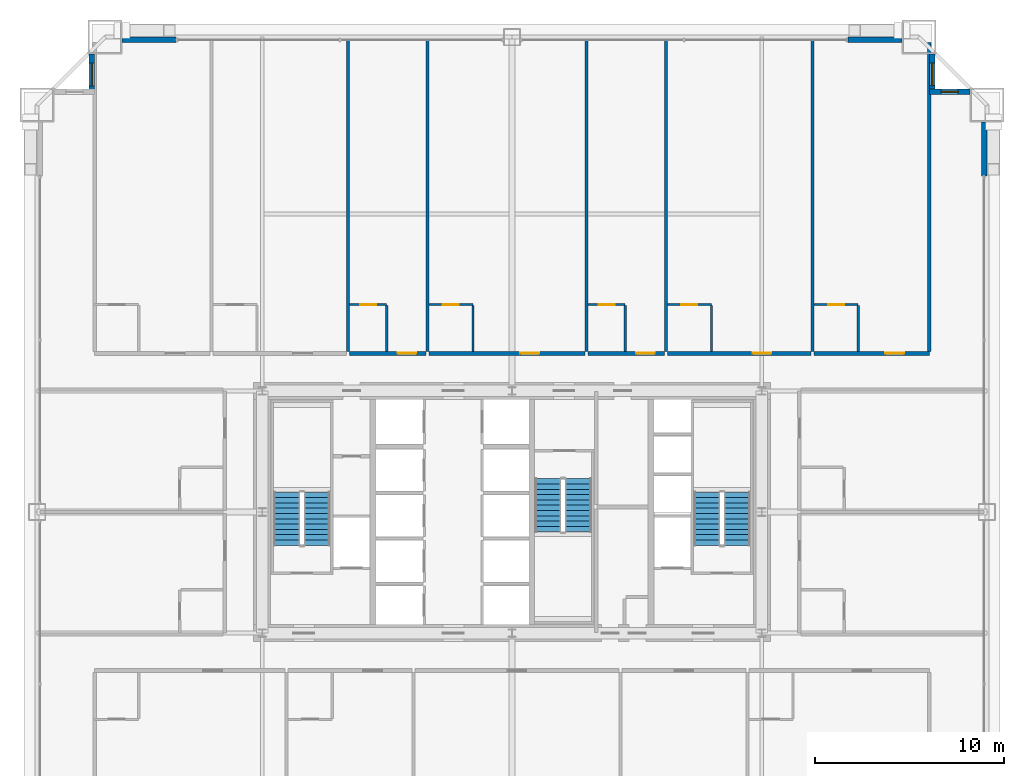
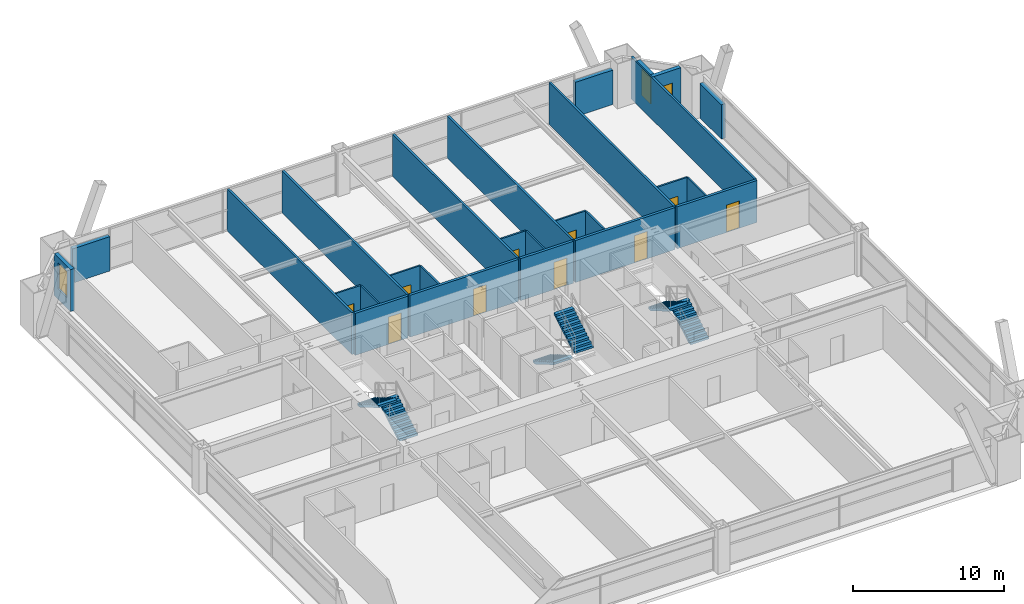
# One storey, part 42 of 43: 27 walls, 10 doors, 6 stair flights, 3 windows, 13 openings, 3 elements without a shape of their own.
"""IFC4 building model written with IfcOpenShell, lengths in metres."""

from ifc_helpers import new_model, si_unit, direction, frame, frame_2d, origin, place, context, subcontext, project, spatial, polyline, rectangle, outline, extrude, source, transform, mapped, material, layer, layer_set, type_object, element, fill, aggregate, save


model = new_model("IFC4")

# Units and contexts
model_context = context("Model", 3, precision=1e-05, world=origin(), true_north=direction((0.0, 1.0)))
body_context = subcontext(model_context, "Body", "Model", "MODEL_VIEW")
ifc_project = project(units=[si_unit("LENGTHUNIT", "METRE"), si_unit("AREAUNIT", "SQUARE_METRE"), si_unit("VOLUMEUNIT", "CUBIC_METRE"), si_unit("PLANEANGLEUNIT", "RADIAN"), si_unit("MASSUNIT", "GRAM", prefix="KILO"), si_unit("THERMODYNAMICTEMPERATUREUNIT", "KELVIN"), si_unit("POWERUNIT", "WATT")], contexts=[model_context])

# Site, building, storey
site_placement = place(None, origin())
site = spatial("IfcSite", under=ifc_project, at=site_placement, CompositionType="ELEMENT")
building_placement = place(site_placement, origin())
building = spatial("IfcBuilding", under=site, at=building_placement, Name="Yuzanri Waterfront Tower", CompositionType="ELEMENT")
storey_placement = place(building_placement, frame((0.0, 0.0, 46.0)))
storey = spatial("IfcBuildingStorey", under=building, at=storey_placement, Name="L11", CompositionType="ELEMENT", Elevation=46.0)

# Wall, opening, door
ifc_material_1 = material(Name="Moisture-Resistant Gypsum Stud Wall", Category="gypsum")
ifc_layer_1 = layer(ifc_material_1, 0.1201171875)
ifc_layer_set_1 = layer_set([ifc_layer_1], Name="Moisture-Resistant Gypsum Stud Wall")
wall_type_1 = type_object("IfcWallType", Name="Bathroom and Kitchen Wet Partition 120", PredefinedType="PARTITIONING", material=ifc_layer_set_1)
wall_1_placement = place(storey_placement, frame((28.419921875, 36.760009765625, 0.0), z_axis=(0.0, 0.0, 1.0), x_axis=(1.0, 0.0, 0.0)))
wall_1 = element("IfcWall", 1, at=wall_1_placement, inside=storey, type_object=wall_type_1, Name="L11 Partition UW-L11-N3-BN", PredefinedType="PARTITIONING", context=body_context, shape_type="SweptSolid", body=[
    extrude(rectangle(XDim=1.955078125, YDim=0.1201171875, at=frame_2d((0.9775390625, 0.0))), origin(), (0.0, 0.0, 1.0), 3.3798828125),
])
opening_1_placement = place(wall_1_placement, frame((0.552490234375, 0.0, 0.0)))
opening_1 = element("IfcOpeningElement", 2, at=opening_1_placement, cuts=wall_1, Name="Opening ID-0850", PredefinedType="OPENING", context=body_context, shape_type="SweptSolid", body=[
    extrude(rectangle(XDim=0.85009765625, YDim=2.10009765625, at=frame_2d((0.425048828125, 1.050048828125))), frame((0.0, 0.074951171875, 0.0), z_axis=(0.0, -1.0, 0.0), x_axis=(1.0, 0.0, 0.0)), (0.0, 0.0, 1.0), 0.14990234375),
])
ifc_material_2 = material(Name="Moisture-Resistant Lacquered Timber", Category="wood")
door_type_1 = type_object("IfcDoorType", Name="En-Suite Bathroom and Kitchen Swing Door 850x2100", OperationType="NOTDEFINED", PredefinedType="DOOR", material=ifc_material_2)
shared_shape_1 = source(origin(), body_context, "Body", "SweptSolid", [
    extrude(rectangle(XDim=0.85009765625, YDim=2.10009765625, at=frame_2d((0.425048828125, 1.050048828125))), frame((0.0, 0.02490234375, 0.0), z_axis=(0.0, -1.0, 0.0), x_axis=(1.0, 0.0, 0.0)), (0.0, 0.0, 1.0), 0.050048828125),
])
door_1_placement = place(opening_1_placement, origin())
door_1 = element("IfcDoor", 3, at=door_1_placement, inside=storey, type_object=door_type_1, Name="L11 Guest En-Suite Door", OperationType="SINGLE_SWING_LEFT", OverallHeight=2.10009765625, OverallWidth=0.85009765625, PredefinedType="DOOR", context=body_context, shape_type="MappedRepresentation", body=[
    mapped(shared_shape_1, transform((0.0, 0.0, 0.0), scale=1.0)),
])
fill(opening_1, door_1)

wall_2_placement = place(storey_placement, frame((32.60498046875, 36.760009765625, 0.0), z_axis=(0.0, 0.0, 1.0), x_axis=(1.0, 0.0, 0.0)))
wall_2 = element("IfcWall", 4, at=wall_2_placement, inside=storey, type_object=wall_type_1, Name="L11 Partition UW-L11-N4-BN", PredefinedType="PARTITIONING", context=body_context, shape_type="SweptSolid", body=[
    extrude(rectangle(XDim=2.330078125, YDim=0.1201171875, at=frame_2d((1.1650390625, 0.0))), origin(), (0.0, 0.0, 1.0), 3.3798828125),
])
opening_2_placement = place(wall_2_placement, frame((0.739990234375, 0.0, 0.0)))
opening_2 = element("IfcOpeningElement", 5, at=opening_2_placement, cuts=wall_2, Name="Opening ID-0850", PredefinedType="OPENING", context=body_context, shape_type="SweptSolid", body=[
    extrude(rectangle(XDim=0.85009765625, YDim=2.10009765625, at=frame_2d((0.425048828125, 1.050048828125))), frame((0.0, 0.074951171875, 0.0), z_axis=(0.0, -1.0, 0.0), x_axis=(1.0, 0.0, 0.0)), (0.0, 0.0, 1.0), 0.14990234375),
])
door_2_placement = place(opening_2_placement, origin())
door_2 = element("IfcDoor", 6, at=door_2_placement, inside=storey, type_object=door_type_1, Name="L11 Guest En-Suite Door", OperationType="SINGLE_SWING_LEFT", OverallHeight=2.10009765625, OverallWidth=0.85009765625, PredefinedType="DOOR", context=body_context, shape_type="MappedRepresentation", body=[
    mapped(shared_shape_1, transform((0.0, 0.0, 0.0), scale=1.0)),
])
fill(opening_2, door_2)

wall_3_placement = place(storey_placement, frame((41.02587890625, 36.760009765625, 0.0), z_axis=(0.0, 0.0, 1.0), x_axis=(1.0, 0.0, 0.0)))
wall_3 = element("IfcWall", 7, at=wall_3_placement, inside=storey, type_object=wall_type_1, Name="L11 Partition UW-L11-N5-BN", PredefinedType="PARTITIONING", context=body_context, shape_type="SweptSolid", body=[
    extrude(rectangle(XDim=1.955078125, YDim=0.1201171875, at=frame_2d((0.9775390625, 0.0))), origin(), (0.0, 0.0, 1.0), 3.3798828125),
])
opening_3_placement = place(wall_3_placement, frame((0.552490234375, 0.0, 0.0)))
opening_3 = element("IfcOpeningElement", 8, at=opening_3_placement, cuts=wall_3, Name="Opening ID-0850", PredefinedType="OPENING", context=body_context, shape_type="SweptSolid", body=[
    extrude(rectangle(XDim=0.85009765625, YDim=2.10009765625, at=frame_2d((0.425048828125, 1.050048828125))), frame((0.0, 0.074951171875, 0.0), z_axis=(0.0, -1.0, 0.0), x_axis=(1.0, 0.0, 0.0)), (0.0, 0.0, 1.0), 0.14990234375),
])
door_3_placement = place(opening_3_placement, origin())
door_3 = element("IfcDoor", 9, at=door_3_placement, inside=storey, type_object=door_type_1, Name="L11 Guest En-Suite Door", OperationType="SINGLE_SWING_LEFT", OverallHeight=2.10009765625, OverallWidth=0.85009765625, PredefinedType="DOOR", context=body_context, shape_type="MappedRepresentation", body=[
    mapped(shared_shape_1, transform((0.0, 0.0, 0.0), scale=1.0)),
])
fill(opening_3, door_3)

wall_4_placement = place(storey_placement, frame((45.2109375, 36.760009765625, 0.0), z_axis=(0.0, 0.0, 1.0), x_axis=(1.0, 0.0, 0.0)))
wall_4 = element("IfcWall", 10, at=wall_4_placement, inside=storey, type_object=wall_type_1, Name="L11 Partition UW-L11-N6-BN", PredefinedType="PARTITIONING", context=body_context, shape_type="SweptSolid", body=[
    extrude(rectangle(XDim=2.330078125, YDim=0.1201171875, at=frame_2d((1.1650390625, 0.0))), origin(), (0.0, 0.0, 1.0), 3.3798828125),
])
opening_4_placement = place(wall_4_placement, frame((0.739990234375, 0.0, 0.0)))
opening_4 = element("IfcOpeningElement", 11, at=opening_4_placement, cuts=wall_4, Name="Opening ID-0850", PredefinedType="OPENING", context=body_context, shape_type="SweptSolid", body=[
    extrude(rectangle(XDim=0.85009765625, YDim=2.10009765625, at=frame_2d((0.425048828125, 1.050048828125))), frame((0.0, 0.074951171875, 0.0), z_axis=(0.0, -1.0, 0.0), x_axis=(1.0, 0.0, 0.0)), (0.0, 0.0, 1.0), 0.14990234375),
])
door_4_placement = place(opening_4_placement, origin())
door_4 = element("IfcDoor", 12, at=door_4_placement, inside=storey, type_object=door_type_1, Name="L11 Guest En-Suite Door", OperationType="SINGLE_SWING_LEFT", OverallHeight=2.10009765625, OverallWidth=0.85009765625, PredefinedType="DOOR", context=body_context, shape_type="MappedRepresentation", body=[
    mapped(shared_shape_1, transform((0.0, 0.0, 0.0), scale=1.0)),
])
fill(opening_4, door_4)

wall_5_placement = place(storey_placement, frame((52.962890625, 36.760009765625, 0.0), z_axis=(0.0, 0.0, 1.0), x_axis=(1.0, 0.0, 0.0)))
wall_5 = element("IfcWall", 13, at=wall_5_placement, inside=storey, type_object=wall_type_1, Name="L11 Partition UW-L11-N7-BN", PredefinedType="PARTITIONING", context=body_context, shape_type="SweptSolid", body=[
    extrude(rectangle(XDim=2.330078125, YDim=0.1201171875, at=frame_2d((1.1650390625, 0.0))), origin(), (0.0, 0.0, 1.0), 3.3798828125),
])
opening_5_placement = place(wall_5_placement, frame((0.739990234375, 0.0, 0.0)))
opening_5 = element("IfcOpeningElement", 14, at=opening_5_placement, cuts=wall_5, Name="Opening ID-0850", PredefinedType="OPENING", context=body_context, shape_type="SweptSolid", body=[
    extrude(rectangle(XDim=0.85009765625, YDim=2.10009765625, at=frame_2d((0.425048828125, 1.050048828125))), frame((0.0, 0.074951171875, 0.0), z_axis=(0.0, -1.0, 0.0), x_axis=(1.0, 0.0, 0.0)), (0.0, 0.0, 1.0), 0.14990234375),
])
door_5_placement = place(opening_5_placement, origin())
door_5 = element("IfcDoor", 15, at=door_5_placement, inside=storey, type_object=door_type_1, Name="L11 Guest En-Suite Door", OperationType="SINGLE_SWING_LEFT", OverallHeight=2.10009765625, OverallWidth=0.85009765625, PredefinedType="DOOR", context=body_context, shape_type="MappedRepresentation", body=[
    mapped(shared_shape_1, transform((0.0, 0.0, 0.0), scale=1.0)),
])
fill(opening_5, door_5)

# Wall, opening, window
ifc_material_3 = material(Name="Honed Chongqing Dark Basalt Stone", Category="masonry")
ifc_layer_2 = layer(ifc_material_3, 0.300048828125)
ifc_layer_set_2 = layer_set([ifc_layer_2], Name="Honed Chongqing Dark Basalt Stone")
wall_type_2 = type_object("IfcWallType", Name="Bronze Rainscreen Insulated Spandrel Portal Wall 300", PredefinedType="SOLIDWALL", material=ifc_layer_set_2)
wall_6_placement = place(storey_placement, frame((14.800048828125, 50.0, 0.0), z_axis=(0.0, 0.0, 1.0), x_axis=(0.0, -1.0, 0.0)))
wall_6 = element("IfcWall", 16, at=wall_6_placement, inside=storey, type_object=wall_type_2, Name="L11 Notched Corner Masonry Wall NW-Y", PredefinedType="SOLIDWALL", context=body_context, shape_type="SweptSolid", body=[
    extrude(rectangle(XDim=2.14990234375, YDim=0.300048828125, at=frame_2d((1.074951171875, 0.0))), origin(), (0.0, 0.0, 1.0), 3.3798828125),
])
opening_6_placement = place(wall_6_placement, frame((0.47509765625, 0.0, 0.85009765625)))
opening_6 = element("IfcOpeningElement", 17, at=opening_6_placement, cuts=wall_6, Name="Opening WN-02", PredefinedType="OPENING", context=body_context, shape_type="SweptSolid", body=[
    extrude(rectangle(XDim=1.199951171875, YDim=2.10009765625, at=frame_2d((0.60009765625, 1.050048828125))), frame((0.0, 0.1650390625, 0.0), z_axis=(0.0, -1.0, 0.0), x_axis=(1.0, 0.0, 0.0)), (0.0, 0.0, 1.0), 0.329833984375),
])
ifc_material_4 = material(Name="Double-Silver Low-E Insulated Glass", Category="glass")
window_type_1 = type_object("IfcWindowType", Name="Anodized Bronze Notched Corner Deep-Set Slot Window 1200x2100", PartitioningType="SINGLE_PANEL", PredefinedType="WINDOW", material=ifc_material_4)
shared_shape_2 = source(origin(), body_context, "Body", "SweptSolid", [
    extrude(rectangle(XDim=1.199951171875, YDim=2.10009765625, at=frame_2d((0.60009765625, 1.050048828125))), frame((0.0, 0.030029296875, 0.0), z_axis=(0.0, -1.0, 0.0), x_axis=(1.0, 0.0, 0.0)), (0.0, 0.0, 1.0), 0.06005859375),
])
window_1_placement = place(opening_6_placement, origin())
window_1 = element("IfcWindow", 18, at=window_1_placement, inside=storey, type_object=window_type_1, Name="L11 Notched Corner Window NW-Y", OverallHeight=2.10009765625, OverallWidth=1.199951171875, PartitioningType="SINGLE_PANEL", PredefinedType="WINDOW", context=body_context, shape_type="MappedRepresentation", body=[
    mapped(shared_shape_2, transform((0.0, 0.0, 0.0), scale=1.0)),
])
fill(opening_6, window_1)

wall_7_placement = place(storey_placement, frame((61.199951171875, 48.0, 0.0), z_axis=(0.0, 0.0, 1.0), x_axis=(-1.0, 0.0, 0.0)))
wall_7 = element("IfcWall", 19, at=wall_7_placement, inside=storey, type_object=wall_type_2, Name="L11 Notched Corner Masonry Wall NE-X", PredefinedType="SOLIDWALL", context=body_context, shape_type="SweptSolid", body=[
    extrude(rectangle(XDim=2.14990234375, YDim=0.300048828125, at=frame_2d((1.074951171875, 0.0))), origin(), (0.0, 0.0, 1.0), 3.3798828125),
])
opening_7_placement = place(wall_7_placement, frame((0.625, 0.0, 0.85009765625)))
opening_7 = element("IfcOpeningElement", 20, at=opening_7_placement, cuts=wall_7, Name="Opening WN-05", PredefinedType="OPENING", context=body_context, shape_type="SweptSolid", body=[
    extrude(rectangle(XDim=0.89990234375, YDim=1.5, at=frame_2d((0.449951171875, 0.75))), frame((0.0, 0.1650390625, 0.0), z_axis=(0.0, -1.0, 0.0), x_axis=(1.0, 0.0, 0.0)), (0.0, 0.0, 1.0), 0.329833984375),
])
ifc_material_5 = material(Name="Double-Silver Low-E Insulated Glass", Category="glass")
window_type_2 = type_object("IfcWindowType", Name="Anodized Bronze Service and Stairwell Smoke-Vent Window 900x1500", PartitioningType="SINGLE_PANEL", PredefinedType="WINDOW", material=ifc_material_5)
shared_shape_3 = source(origin(), body_context, "Body", "SweptSolid", [
    extrude(rectangle(XDim=0.89990234375, YDim=1.5, at=frame_2d((0.449951171875, 0.75))), frame((0.0, 0.030029296875, 0.0), z_axis=(0.0, -1.0, 0.0), x_axis=(1.0, 0.0, 0.0)), (0.0, 0.0, 1.0), 0.06005859375),
])
window_2_placement = place(opening_7_placement, origin())
window_2 = element("IfcWindow", 21, at=window_2_placement, inside=storey, type_object=window_type_2, Name="L11 Notched Corner Window NE-X", OverallHeight=1.5, OverallWidth=0.89990234375, PartitioningType="SINGLE_PANEL", PredefinedType="WINDOW", context=body_context, shape_type="MappedRepresentation", body=[
    mapped(shared_shape_3, transform((0.0, 0.0, 0.0), scale=1.0)),
])
fill(opening_7, window_2)

wall_8_placement = place(storey_placement, frame((59.199951171875, 47.85009765625, 0.0), z_axis=(0.0, 0.0, 1.0), x_axis=(0.0, 1.0, 0.0)))
wall_8 = element("IfcWall", 22, at=wall_8_placement, inside=storey, type_object=wall_type_2, Name="L11 Notched Corner Masonry Wall NE-Y", PredefinedType="SOLIDWALL", context=body_context, shape_type="SweptSolid", body=[
    extrude(rectangle(XDim=2.14990234375, YDim=0.300048828125, at=frame_2d((1.074951171875, 0.0))), origin(), (0.0, 0.0, 1.0), 3.3798828125),
])
opening_8_placement = place(wall_8_placement, frame((0.47509765625, 0.0, 0.85009765625)))
opening_8 = element("IfcOpeningElement", 23, at=opening_8_placement, cuts=wall_8, Name="Opening WN-02", PredefinedType="OPENING", context=body_context, shape_type="SweptSolid", body=[
    extrude(rectangle(XDim=1.199951171875, YDim=2.10009765625, at=frame_2d((0.60009765625, 1.050048828125))), frame((0.0, 0.1650390625, 0.0), z_axis=(0.0, -1.0, 0.0), x_axis=(1.0, 0.0, 0.0)), (0.0, 0.0, 1.0), 0.329833984375),
])
window_3_placement = place(opening_8_placement, origin())
window_3 = element("IfcWindow", 24, at=window_3_placement, inside=storey, type_object=window_type_1, Name="L11 Notched Corner Window NE-Y", OverallHeight=2.10009765625, OverallWidth=1.199951171875, PartitioningType="SINGLE_PANEL", PredefinedType="WINDOW", context=body_context, shape_type="MappedRepresentation", body=[
    mapped(shared_shape_2, transform((0.0, 0.0, 0.0), scale=1.0)),
])
fill(opening_8, window_3)

# Wall, opening, door
ifc_material_6 = material(Name="Autoclaved Aerated Concrete Blockwork", Category="masonry")
ifc_layer_3 = layer(ifc_material_6, 0.199951171875)
ifc_layer_set_3 = layer_set([ifc_layer_3], Name="Autoclaved Aerated Concrete Blockwork")
wall_type_3 = type_object("IfcWallType", Name="Corridor and Unit Party Fire Wall 200", PredefinedType="PARTITIONING", material=ifc_layer_set_3)
wall_9_placement = place(storey_placement, frame((28.419921875, 34.179931640625, 0.0), z_axis=(0.0, 0.0, 1.0), x_axis=(1.0, 0.0, 0.0)))
wall_9 = element("IfcWall", 25, at=wall_9_placement, inside=storey, type_object=wall_type_3, Name="L11 Partition UW-L11-N3-CS", PredefinedType="PARTITIONING", context=body_context, shape_type="SweptSolid", body=[
    extrude(rectangle(XDim=4.025146484375, YDim=0.199951171875, at=frame_2d((2.0126953125, 0.0))), origin(), (0.0, 0.0, 1.0), 3.3798828125),
])
opening_9_placement = place(wall_9_placement, frame((2.530029296875, 0.0, 0.0)))
opening_9 = element("IfcOpeningElement", 26, at=opening_9_placement, cuts=wall_9, Name="Opening FD-1000", PredefinedType="OPENING", context=body_context, shape_type="SweptSolid", body=[
    extrude(rectangle(XDim=1.0, YDim=2.199951171875, at=frame_2d((0.5, 1.10009765625))), frame((0.0, 0.11474609375, 0.0), z_axis=(0.0, -1.0, 0.0), x_axis=(1.0, 0.0, 0.0)), (0.0, 0.0, 1.0), 0.229736328125),
])
ifc_material_7 = material(Name="Engineered Oak Fire-Rated Timber", Category="wood")
door_type_2 = type_object("IfcDoorType", Name="Guestroom and Apartment Entrance Fire Door 1000x2200", OperationType="NOTDEFINED", PredefinedType="DOOR", material=ifc_material_7)
shared_shape_4 = source(origin(), body_context, "Body", "SweptSolid", [
    extrude(rectangle(XDim=1.0, YDim=2.199951171875, at=frame_2d((0.5, 1.10009765625))), frame((0.0, 0.02490234375, 0.0), z_axis=(0.0, -1.0, 0.0), x_axis=(1.0, 0.0, 0.0)), (0.0, 0.0, 1.0), 0.050048828125),
])
door_6_placement = place(opening_9_placement, origin())
door_6 = element("IfcDoor", 27, at=door_6_placement, inside=storey, type_object=door_type_2, Name="L11 Superior Twin Guest Room Entrance Door", OperationType="SINGLE_SWING_RIGHT", OverallHeight=2.199951171875, OverallWidth=1.0, PredefinedType="DOOR", context=body_context, shape_type="MappedRepresentation", body=[
    mapped(shared_shape_4, transform((0.0, 0.0, 0.0), scale=1.0)),
])
fill(opening_9, door_6)

wall_10_placement = place(storey_placement, frame((32.60498046875, 34.179931640625, 0.0), z_axis=(0.0, 0.0, 1.0), x_axis=(1.0, 0.0, 0.0)))
wall_10 = element("IfcWall", 28, at=wall_10_placement, inside=storey, type_object=wall_type_3, Name="L11 Partition UW-L11-N4-CS", PredefinedType="PARTITIONING", context=body_context, shape_type="SweptSolid", body=[
    extrude(rectangle(XDim=8.260986328125, YDim=0.199951171875, at=frame_2d((4.13037109375, 0.0))), origin(), (0.0, 0.0, 1.0), 3.3798828125),
])
opening_10_placement = place(wall_10_placement, frame((4.8359375, 0.0, 0.0)))
opening_10 = element("IfcOpeningElement", 29, at=opening_10_placement, cuts=wall_10, Name="Opening FD-1000", PredefinedType="OPENING", context=body_context, shape_type="SweptSolid", body=[
    extrude(rectangle(XDim=1.0, YDim=2.199951171875, at=frame_2d((0.5, 1.10009765625))), frame((0.0, 0.11474609375, 0.0), z_axis=(0.0, -1.0, 0.0), x_axis=(1.0, 0.0, 0.0)), (0.0, 0.0, 1.0), 0.229736328125),
])
door_7_placement = place(opening_10_placement, origin())
door_7 = element("IfcDoor", 30, at=door_7_placement, inside=storey, type_object=door_type_2, Name="L11 Superior Twin Junior Suite Entrance Door", OperationType="SINGLE_SWING_RIGHT", OverallHeight=2.199951171875, OverallWidth=1.0, PredefinedType="DOOR", context=body_context, shape_type="MappedRepresentation", body=[
    mapped(shared_shape_4, transform((0.0, 0.0, 0.0), scale=1.0)),
])
fill(opening_10, door_7)

wall_11_placement = place(storey_placement, frame((41.02587890625, 34.179931640625, 0.0), z_axis=(0.0, 0.0, 1.0), x_axis=(1.0, 0.0, 0.0)))
wall_11 = element("IfcWall", 31, at=wall_11_placement, inside=storey, type_object=wall_type_3, Name="L11 Partition UW-L11-N5-CS", PredefinedType="PARTITIONING", context=body_context, shape_type="SweptSolid", body=[
    extrude(rectangle(XDim=4.025146484375, YDim=0.199951171875, at=frame_2d((2.0126953125, 0.0))), origin(), (0.0, 0.0, 1.0), 3.3798828125),
])
opening_11_placement = place(wall_11_placement, frame((2.530029296875, 0.0, 0.0)))
opening_11 = element("IfcOpeningElement", 32, at=opening_11_placement, cuts=wall_11, Name="Opening FD-1000", PredefinedType="OPENING", context=body_context, shape_type="SweptSolid", body=[
    extrude(rectangle(XDim=1.0, YDim=2.199951171875, at=frame_2d((0.5, 1.10009765625))), frame((0.0, 0.11474609375, 0.0), z_axis=(0.0, -1.0, 0.0), x_axis=(1.0, 0.0, 0.0)), (0.0, 0.0, 1.0), 0.229736328125),
])
door_8_placement = place(opening_11_placement, origin())
door_8 = element("IfcDoor", 33, at=door_8_placement, inside=storey, type_object=door_type_2, Name="L11 Superior Twin Guest Room Entrance Door", OperationType="SINGLE_SWING_RIGHT", OverallHeight=2.199951171875, OverallWidth=1.0, PredefinedType="DOOR", context=body_context, shape_type="MappedRepresentation", body=[
    mapped(shared_shape_4, transform((0.0, 0.0, 0.0), scale=1.0)),
])
fill(opening_11, door_8)

wall_12_placement = place(storey_placement, frame((45.2109375, 34.179931640625, 0.0), z_axis=(0.0, 0.0, 1.0), x_axis=(1.0, 0.0, 0.0)))
wall_12 = element("IfcWall", 34, at=wall_12_placement, inside=storey, type_object=wall_type_3, Name="L11 Partition UW-L11-N6-CS", PredefinedType="PARTITIONING", context=body_context, shape_type="SweptSolid", body=[
    extrude(rectangle(XDim=7.592041015625, YDim=0.199951171875, at=frame_2d((3.7958984375, 0.0))), origin(), (0.0, 0.0, 1.0), 3.3798828125),
])
opening_12_placement = place(wall_12_placement, frame((4.5009765625, 0.0, 0.0)))
opening_12 = element("IfcOpeningElement", 35, at=opening_12_placement, cuts=wall_12, Name="Opening FD-1000", PredefinedType="OPENING", context=body_context, shape_type="SweptSolid", body=[
    extrude(rectangle(XDim=1.0, YDim=2.199951171875, at=frame_2d((0.5, 1.10009765625))), frame((0.0, 0.11474609375, 0.0), z_axis=(0.0, -1.0, 0.0), x_axis=(1.0, 0.0, 0.0)), (0.0, 0.0, 1.0), 0.229736328125),
])
door_9_placement = place(opening_12_placement, origin())
door_9 = element("IfcDoor", 36, at=door_9_placement, inside=storey, type_object=door_type_2, Name="L11 Superior Twin Junior Suite Entrance Door", OperationType="SINGLE_SWING_RIGHT", OverallHeight=2.199951171875, OverallWidth=1.0, PredefinedType="DOOR", context=body_context, shape_type="MappedRepresentation", body=[
    mapped(shared_shape_4, transform((0.0, 0.0, 0.0), scale=1.0)),
])
fill(opening_12, door_9)

wall_13_placement = place(storey_placement, frame((52.962890625, 34.179931640625, 0.0), z_axis=(0.0, 0.0, 1.0), x_axis=(1.0, 0.0, 0.0)))
wall_13 = element("IfcWall", 37, at=wall_13_placement, inside=storey, type_object=wall_type_3, Name="L11 Partition UW-L11-N7-CS", PredefinedType="PARTITIONING", context=body_context, shape_type="SweptSolid", body=[
    extrude(rectangle(XDim=6.09716796875, YDim=0.199951171875, at=frame_2d((3.048583984375, 0.0))), origin(), (0.0, 0.0, 1.0), 3.3798828125),
])
opening_13_placement = place(wall_13_placement, frame((3.7529296875, 0.0, 0.0)))
opening_13 = element("IfcOpeningElement", 38, at=opening_13_placement, cuts=wall_13, Name="Opening FD-1000", PredefinedType="OPENING", context=body_context, shape_type="SweptSolid", body=[
    extrude(rectangle(XDim=1.0, YDim=2.199951171875, at=frame_2d((0.5, 1.10009765625))), frame((0.0, 0.11474609375, 0.0), z_axis=(0.0, -1.0, 0.0), x_axis=(1.0, 0.0, 0.0)), (0.0, 0.0, 1.0), 0.229736328125),
])
door_10_placement = place(opening_13_placement, origin())
door_10 = element("IfcDoor", 39, at=door_10_placement, inside=storey, type_object=door_type_2, Name="L11 Superior Twin Junior Suite Entrance Door", OperationType="SINGLE_SWING_RIGHT", OverallHeight=2.199951171875, OverallWidth=1.0, PredefinedType="DOOR", context=body_context, shape_type="MappedRepresentation", body=[
    mapped(shared_shape_4, transform((0.0, 0.0, 0.0), scale=1.0)),
])
fill(opening_13, door_10)

# Walls
shared_shape_5 = source(origin(), body_context, "Body", "SweptSolid", [
    extrude(rectangle(XDim=2.85009765625, YDim=0.300048828125, at=frame_2d((1.425048828125, 0.0))), origin(), (0.0, 0.0, 1.0), 2.77490234375),
])
for number, where, z_axis, x_axis, name in (
    (40, (16.39990234375, 50.75, 0.0), (0.0, 0.0, 1.0), (1.0, 0.0, 0.0), "L11 N Left Braced Masonry Shoulder"),
    (41, (54.75, 50.75, 0.0), (0.0, 0.0, 1.0), (1.0, 0.0, 0.0), "L11 N Right Braced Masonry Shoulder"),
):
    element("IfcWall", number, at=place(storey_placement, frame(where, z_axis=z_axis, x_axis=x_axis)), inside=storey, type_object=wall_type_2, Name=name, PredefinedType="SOLIDWALL", context=body_context, shape_type="MappedRepresentation", body=[
        mapped(shared_shape_5, transform((0.0, 0.0, 0.0), scale=1.0)),
    ])
shared_shape_6 = source(origin(), body_context, "Body", "SweptSolid", [
    extrude(rectangle(XDim=2.849853515625, YDim=0.300048828125, at=frame_2d((1.4248046875, 0.0))), origin(), (0.0, 0.0, 1.0), 2.77490234375),
])
wall_14_placement = place(storey_placement, frame((61.949951171875, 43.550048828125, 0.0), z_axis=(0.0, 0.0, 1.0), x_axis=(0.0, 1.0, 0.0)))
element("IfcWall", 42, at=wall_14_placement, inside=storey, type_object=wall_type_2, Name="L11 E Right Braced Masonry Shoulder", PredefinedType="SOLIDWALL", context=body_context, shape_type="MappedRepresentation", body=[
    mapped(shared_shape_6, transform((0.0, 0.0, 0.0), scale=1.0)),
])
ifc_material_8 = material(Name="Gypsum Fireboard Acoustic Stud Wall", Category="gypsum")
ifc_layer_4 = layer(ifc_material_8, 0.159912109375)
ifc_layer_set_4 = layer_set([ifc_layer_4], Name="Gypsum Fireboard Acoustic Stud Wall")
wall_type_4 = type_object("IfcWallType", Name="Acoustic Suite Demising Partition 160", PredefinedType="PARTITIONING", material=ifc_layer_set_4)
shared_shape_7 = source(origin(), body_context, "Body", "SweptSolid", [
    extrude(rectangle(XDim=16.469970703125, YDim=0.159912109375, at=frame_2d((8.23486328125, 0.0))), origin(), (0.0, 0.0, 1.0), 3.3798828125),
])
for number, where, z_axis, x_axis, name in (
    (43, (28.340087890625, 34.280029296875, 0.0), (0.0, 0.0, 1.0), (0.0, 1.0, 0.0), "L11-N2 Party Wall"),
    (44, (32.52490234375, 34.280029296875, 0.0), (0.0, 0.0, 1.0), (0.0, 1.0, 0.0), "L11-N3 Party Wall"),
    (45, (40.946044921875, 34.280029296875, 0.0), (0.0, 0.0, 1.0), (0.0, 1.0, 0.0), "L11-N4 Party Wall"),
    (46, (45.131103515625, 34.280029296875, 0.0), (0.0, 0.0, 1.0), (0.0, 1.0, 0.0), "L11-N5 Party Wall"),
    (47, (52.883056640625, 34.280029296875, 0.0), (0.0, 0.0, 1.0), (0.0, 1.0, 0.0), "L11-N6 Party Wall"),
):
    element("IfcWall", number, at=place(storey_placement, frame(where, z_axis=z_axis, x_axis=x_axis)), inside=storey, type_object=wall_type_4, Name=name, PredefinedType="PARTITIONING", context=body_context, shape_type="MappedRepresentation", body=[
        mapped(shared_shape_7, transform((0.0, 0.0, 0.0), scale=1.0)),
    ])
shared_shape_8 = source(origin(), body_context, "Body", "SweptSolid", [
    extrude(rectangle(XDim=16.320068359375, YDim=0.159912109375, at=frame_2d((8.16015625, 0.0))), origin(), (0.0, 0.0, 1.0), 3.3798828125),
])
wall_15_placement = place(storey_placement, frame((59.050048828125, 34.280029296875, 0.0), z_axis=(0.0, 0.0, 1.0), x_axis=(0.0, 1.0, 0.0)))
element("IfcWall", 48, at=wall_15_placement, inside=storey, type_object=wall_type_4, Name="L11 North Band East End Wall", PredefinedType="PARTITIONING", context=body_context, shape_type="MappedRepresentation", body=[
    mapped(shared_shape_8, transform((0.0, 0.0, 0.0), scale=1.0)),
])
shared_shape_9 = source(origin(), body_context, "Body", "SweptSolid", [
    extrude(rectangle(XDim=2.419921875, YDim=0.1201171875, at=frame_2d((1.2099609375, 0.0))), origin(), (0.0, 0.0, 1.0), 3.3798828125),
])
for number, where, z_axis, x_axis, name in (
    (49, (30.375, 34.280029296875, 0.0), (0.0, 0.0, 1.0), (0.0, 1.0, 0.0), "L11-N3 En-Suite Side Wall"),
    (50, (34.93505859375, 34.280029296875, 0.0), (0.0, 0.0, 1.0), (0.0, 1.0, 0.0), "L11-N4 En-Suite Side Wall"),
    (51, (42.98095703125, 34.280029296875, 0.0), (0.0, 0.0, 1.0), (0.0, 1.0, 0.0), "L11-N5 En-Suite Side Wall"),
    (52, (47.541015625, 34.280029296875, 0.0), (0.0, 0.0, 1.0), (0.0, 1.0, 0.0), "L11-N6 En-Suite Side Wall"),
    (53, (55.29296875, 34.280029296875, 0.0), (0.0, 0.0, 1.0), (0.0, 1.0, 0.0), "L11-N7 En-Suite Side Wall"),
):
    element("IfcWall", number, at=place(storey_placement, frame(where, z_axis=z_axis, x_axis=x_axis)), inside=storey, type_object=wall_type_1, Name=name, PredefinedType="PARTITIONING", context=body_context, shape_type="MappedRepresentation", body=[
        mapped(shared_shape_9, transform((0.0, 0.0, 0.0), scale=1.0)),
    ])

# Stair, stair flights
ifc_material_9 = material(Name="Concrete C40", Category="concrete")
stair_type = type_object("IfcStairType", Name="Concrete C40 Core Dogleg Exit Stair", PredefinedType="HALF_TURN_STAIR", material=ifc_material_9)
stair_1_placement = place(storey_placement, origin())
stair_1 = element("IfcStair", 54, at=stair_1_placement, inside=storey, type_object=stair_type, Name="L11 Smoke-Proof Core Stair ST-01", PredefinedType="HALF_TURN_STAIR")
ifc_material_10 = material(Name="Concrete C40", Category="concrete")
stair_flight_type = type_object("IfcStairFlightType", Name="Concrete C40 Precast Stair Flight 1380", PredefinedType="STRAIGHT", material=ifc_material_10)
shared_shape_10 = source(origin(), body_context, "Body", "SweptSolid", [
    extrude(outline(polyline([(0.0, 0.0), (0.0, 0.16357421875), (0.280029296875, 0.16357421875), (0.280029296875, 0.327392578125), (0.56005859375, 0.327392578125), (0.56005859375, 0.490966796875), (0.840087890625, 0.490966796875), (0.840087890625, 0.654541015625), (1.1201171875, 0.654541015625), (1.1201171875, 0.818115234375), (1.39990234375, 0.818115234375), (1.39990234375, 0.98193359375), (1.679931640625, 0.98193359375), (1.679931640625, 1.1455078125), (1.9599609375, 1.1455078125), (1.9599609375, 1.30908203125), (2.239990234375, 1.30908203125), (2.239990234375, 1.47265625), (2.52001953125, 1.47265625), (2.52001953125, 1.636474609375), (2.800048828125, 1.636474609375), (2.800048828125, 1.800048828125), (2.800048828125, 1.462646484375), (0.297119140625, 0.0), (0.0, 0.0)])), frame((0.0, 0.699951171875, 0.0), z_axis=(0.0, -1.0, 0.0), x_axis=(1.0, 0.0, 0.0)), (0.0, 0.0, 1.0), 1.39990234375),
])
stair_flight_1_placement = place(storey_placement, frame((26.699951171875, 24.0400390625, 0.0), z_axis=(0.0, 0.0, 1.0), x_axis=(0.0, 1.0, 0.0)))
stair_flight_1 = element("IfcStairFlight", 55, at=stair_flight_1_placement, type_object=stair_flight_type, Name="ST-01 flight 1", NumberOfRisers=11, NumberOfTreads=10, PredefinedType="STRAIGHT", RiserHeight=0.163636364, TreadLength=0.28, context=body_context, shape_type="MappedRepresentation", body=[
    mapped(shared_shape_10, transform((0.0, 0.0, 0.0), scale=1.0)),
])
stair_flight_2_placement = place(storey_placement, frame((25.10009765625, 26.840087890625, 1.800048828125), z_axis=(0.0, 0.0, 1.0), x_axis=(0.0, -1.0, 0.0)))
stair_flight_2 = element("IfcStairFlight", 56, at=stair_flight_2_placement, type_object=stair_flight_type, Name="ST-01 flight 2", NumberOfRisers=11, NumberOfTreads=10, PredefinedType="STRAIGHT", RiserHeight=0.163636364, TreadLength=0.28, context=body_context, shape_type="MappedRepresentation", body=[
    mapped(shared_shape_10, transform((0.0, 0.0, 0.0), scale=1.0)),
])
aggregate(stair_1, [stair_flight_1, stair_flight_2])

stair_2_placement = place(storey_placement, origin())
stair_2 = element("IfcStair", 57, at=stair_2_placement, inside=storey, type_object=stair_type, Name="L11 Smoke-Proof Core Stair ST-02", PredefinedType="HALF_TURN_STAIR")
stair_flight_3_placement = place(storey_placement, frame((48.89990234375, 24.0400390625, 0.0), z_axis=(0.0, 0.0, 1.0), x_axis=(0.0, 1.0, 0.0)))
stair_flight_3 = element("IfcStairFlight", 58, at=stair_flight_3_placement, type_object=stair_flight_type, Name="ST-02 flight 1", NumberOfRisers=11, NumberOfTreads=10, PredefinedType="STRAIGHT", RiserHeight=0.163636364, TreadLength=0.28, context=body_context, shape_type="MappedRepresentation", body=[
    mapped(shared_shape_10, transform((0.0, 0.0, 0.0), scale=1.0)),
])
stair_flight_4_placement = place(storey_placement, frame((47.300048828125, 26.840087890625, 1.800048828125), z_axis=(0.0, 0.0, 1.0), x_axis=(0.0, -1.0, 0.0)))
stair_flight_4 = element("IfcStairFlight", 59, at=stair_flight_4_placement, type_object=stair_flight_type, Name="ST-02 flight 2", NumberOfRisers=11, NumberOfTreads=10, PredefinedType="STRAIGHT", RiserHeight=0.163636364, TreadLength=0.28, context=body_context, shape_type="MappedRepresentation", body=[
    mapped(shared_shape_10, transform((0.0, 0.0, 0.0), scale=1.0)),
])
aggregate(stair_2, [stair_flight_3, stair_flight_4])

stair_3_placement = place(storey_placement, origin())
stair_3 = element("IfcStair", 60, at=stair_3_placement, inside=storey, type_object=stair_type, Name="L11 Smoke-Proof Core Stair ST-03", PredefinedType="HALF_TURN_STAIR")
stair_flight_5_placement = place(storey_placement, frame((38.89990234375, 27.56005859375, 0.0), z_axis=(0.0, 0.0, 1.0), x_axis=(0.0, -1.0, 0.0)))
stair_flight_5 = element("IfcStairFlight", 61, at=stair_flight_5_placement, type_object=stair_flight_type, Name="ST-03 flight 1", NumberOfRisers=11, NumberOfTreads=10, PredefinedType="STRAIGHT", RiserHeight=0.163636364, TreadLength=0.28, context=body_context, shape_type="MappedRepresentation", body=[
    mapped(shared_shape_10, transform((0.0, 0.0, 0.0), scale=1.0)),
])
stair_flight_6_placement = place(storey_placement, frame((40.5, 24.760009765625, 1.800048828125), z_axis=(0.0, 0.0, 1.0), x_axis=(0.0, 1.0, 0.0)))
stair_flight_6 = element("IfcStairFlight", 62, at=stair_flight_6_placement, type_object=stair_flight_type, Name="ST-03 flight 2", NumberOfRisers=11, NumberOfTreads=10, PredefinedType="STRAIGHT", RiserHeight=0.163636364, TreadLength=0.28, context=body_context, shape_type="MappedRepresentation", body=[
    mapped(shared_shape_10, transform((0.0, 0.0, 0.0), scale=1.0)),
])
aggregate(stair_3, [stair_flight_5, stair_flight_6])

save(model, "model.ifc")
